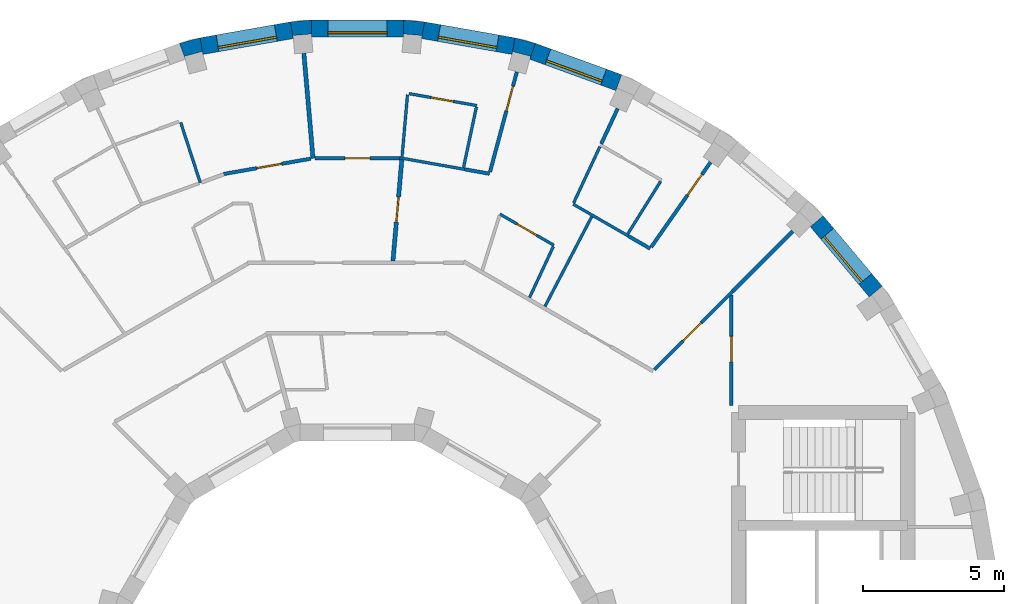
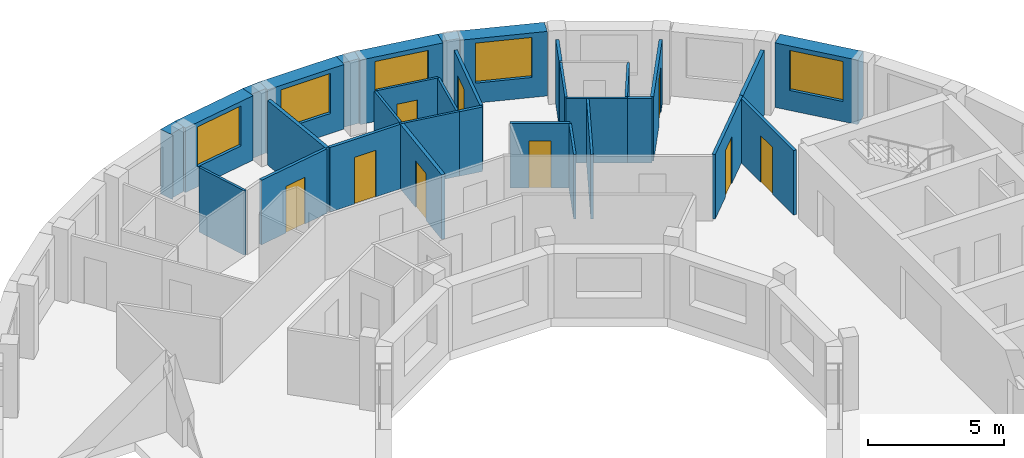
# One storey, part 10 of 12: 32 walls, 9 doors, 5 windows, 14 openings.
"""IFC4 building model written with IfcOpenShell, lengths in metres."""

import ifcopenshell
import ifcopenshell.guid

model = None  # the IFC model being written
_history = None  # IfcOwnerHistory: only IFC2X3 demands one
_inside = {}  # id of a spatial element -> (the spatial element, [elements in it])
_under = {}  # id of a project, library or spatial element -> (it, [spatial elements below it])
_declared = {}  # id of a project -> (the project, [libraries it declares])
_typed = {}  # id of a type object -> (the type object, [elements of that type])
_made_of = {}  # id of a material, layer set ... -> (it, [elements and type objects made of it])


def new_model(schema):
    """Start an empty IFC model of exactly this schema.

    Asked for "IFC4X3", IfcOpenShell would pick the latest addendum, in which some entities
    have other attributes; the version numbers below select the first issue.
    IFC2X3 requires an IfcOwnerHistory on every rooted entity: one is made here for all.
    """
    global model, _history
    if schema == "IFC4X3":
        model = ifcopenshell.file(schema_version=(4, 3, 0, 0))
    else:
        model = ifcopenshell.file(schema=schema)
    _inside.clear()
    _under.clear()
    _declared.clear()
    _typed.clear()
    _made_of.clear()
    _history = None
    if model.schema == "IFC2X3":
        org = make("IfcOrganization", Name="unknown")
        user = make(
            "IfcPersonAndOrganization",
            ThePerson=make("IfcPerson", FamilyName="unknown"),
            TheOrganization=org,
        )
        app = make(
            "IfcApplication",
            ApplicationDeveloper=org,
            Version="unknown",
            ApplicationFullName="unknown",
            ApplicationIdentifier="unknown",
        )
        _history = make(
            "IfcOwnerHistory",
            OwningUser=user,
            OwningApplication=app,
            ChangeAction="ADDED",
            CreationDate=0,
        )
    return model


def make(cls, **values):
    """One entity of the class cls with the attributes given. An attribute that is None is left unset."""
    return model.create_entity(
        cls, **{name: value for name, value in values.items() if value is not None}
    )


def rooted(cls, **values):
    """An entity with a GlobalId (a new one), such as an element, a storey or a relation."""
    return make(cls, GlobalId=ifcopenshell.guid.new(), OwnerHistory=_history, **values)


def si_unit(unit_type, name, prefix=None):
    """IfcSIUnit, for example si_unit("LENGTHUNIT", "METRE", prefix="MILLI")."""
    return make("IfcSIUnit", UnitType=unit_type, Prefix=prefix, Name=name)


def assignment(units):
    """IfcUnitAssignment: the units of a project."""
    return None if units is None else make("IfcUnitAssignment", Units=units)


def point(xyz):
    """IfcCartesianPoint."""
    return None if xyz is None else make("IfcCartesianPoint", Coordinates=xyz)


def direction(xyz):
    """IfcDirection."""
    return None if xyz is None else make("IfcDirection", DirectionRatios=xyz)


def frame(location, z_axis=None, x_axis=None):
    """IfcAxis2Placement3D, a coordinate frame: its origin and axes. An axis left out is left unset."""
    return make(
        "IfcAxis2Placement3D",
        Location=point(location),
        Axis=direction(z_axis),
        RefDirection=direction(x_axis),
    )


def frame_2d(location, x_axis=None):
    """IfcAxis2Placement2D, a coordinate frame in the plane: its origin and x axis."""
    return make(
        "IfcAxis2Placement2D", Location=point(location), RefDirection=direction(x_axis)
    )


def origin():
    """The frame at (0, 0, 0) with its axes left unset."""
    return frame((0.0, 0.0, 0.0))


def place(relative_to, where):
    """IfcLocalPlacement: puts the frame where relative to a parent placement (None: the world)."""
    return make(
        "IfcLocalPlacement", PlacementRelTo=relative_to, RelativePlacement=where
    )


def context(
    kind, dimensions, precision=None, world=None, true_north=None, identifier=None
):
    """IfcGeometricRepresentationContext, for example the 3D "Model" context."""
    return make(
        "IfcGeometricRepresentationContext",
        ContextIdentifier=identifier,
        ContextType=kind,
        CoordinateSpaceDimension=dimensions,
        Precision=precision,
        WorldCoordinateSystem=world,
        TrueNorth=true_north,
    )


def subcontext(parent, identifier, kind, view, scale=None):
    """IfcGeometricRepresentationSubContext, for example "Body" below "Model"."""
    return make(
        "IfcGeometricRepresentationSubContext",
        ContextIdentifier=identifier,
        ContextType=kind,
        ParentContext=parent,
        TargetScale=scale,
        TargetView=view,
    )


def project(units=None, contexts=None):
    """IfcProject with its units and contexts."""
    return rooted(
        "IfcProject",
        Name="project",
        RepresentationContexts=contexts,
        UnitsInContext=assignment(units),
    )


def spatial(cls, under=None, at=None, **own):
    """A site, building, storey or space (cls), placed at a placement, below another one or the project."""
    s = rooted(cls, ObjectPlacement=at, **own)
    if under is not None:
        _under.setdefault(under.id(), (under, []))[1].append(s)
    return s


def polyline(points):
    """IfcPolyline through the points."""
    return make("IfcPolyline", Points=[point(p) for p in points])


def profile(cls, at=None, kind="AREA", **sizes):
    """A parametric profile (cls). Its sizes go by their IFC names, for example OverallWidth=200.0."""
    return make(cls, ProfileType=kind, Position=at, **sizes)


def rectangle(**sizes):
    """IfcRectangleProfileDef."""
    return profile("IfcRectangleProfileDef", **sizes)


def outline(outer, holes=None, kind="AREA"):
    """IfcArbitraryClosedProfileDef: a profile drawn as a closed curve; with holes, ...WithVoids."""
    if holes is None:
        return make("IfcArbitraryClosedProfileDef", ProfileType=kind, OuterCurve=outer)
    return make(
        "IfcArbitraryProfileDefWithVoids",
        ProfileType=kind,
        OuterCurve=outer,
        InnerCurves=holes,
    )


def extrude(swept, where, along, depth):
    """IfcExtrudedAreaSolid: the profile swept, set in the frame where, extruded along a direction by depth."""
    return make(
        "IfcExtrudedAreaSolid",
        SweptArea=swept,
        Position=where,
        ExtrudedDirection=direction(along),
        Depth=depth,
    )


def shape(context_of_items, identifier, shape_type, items):
    """IfcShapeRepresentation: the items that make up one representation, for example the "Body"."""
    return make(
        "IfcShapeRepresentation",
        ContextOfItems=context_of_items,
        RepresentationIdentifier=identifier,
        RepresentationType=shape_type,
        Items=items,
    )


def material(Name=None, Category=None):
    """IfcMaterial."""
    return make("IfcMaterial", Name=Name, Category=Category)


def layer(
    of_material, thickness, ventilated=None, Name=None, Category=None, Priority=None
):
    """IfcMaterialLayer: one layer of a wall or slab, of a material (None: an air gap)."""
    return make(
        "IfcMaterialLayer",
        Material=of_material,
        LayerThickness=thickness,
        IsVentilated=ventilated,
        Name=Name,
        Category=Category,
        Priority=Priority,
    )


def layer_set(layers, Name=None):
    """IfcMaterialLayerSet."""
    return make("IfcMaterialLayerSet", MaterialLayers=layers, LayerSetName=Name)


def made_of(thing, what):
    """Note that an element or type object is made of a material, layer set ...; save() writes the relation."""
    if what is not None:
        _made_of.setdefault(what.id(), (what, []))[1].append(thing)
    return thing


def type_object(cls, material=None, **own):
    """A type object (cls), such as IfcWallType, which elements share."""
    return made_of(rooted(cls, **own), material)


def element(
    cls,
    number,
    at=None,
    inside=None,
    cuts=None,
    type_object=None,
    material=None,
    context=None,
    identifier="Body",
    shape_type=None,
    held_by="IfcProductDefinitionShape",
    body=None,
    shapes=None,
    **own,
):
    """One element of the class cls, such as IfcWall. Its Tag is "e" and its number.

    at: its placement. inside: the storey or other place that contains it. cuts: it is an
    opening in that element (IfcRelVoidsElement). A single representation is given by context,
    identifier, shape_type and body (its items); several are given by shapes. held_by: the class
    of the entity that holds the representations. save() writes the other relations.
    """
    e = rooted(cls, Tag="e%d" % number, ObjectPlacement=at, **own)
    if body is not None:
        shapes = [shape(context, identifier, shape_type, body)]
    if shapes is not None:
        e.Representation = make(held_by, Representations=shapes)
    if inside is not None:
        _inside.setdefault(inside.id(), (inside, []))[1].append(e)
    if cuts is not None:
        rooted(
            "IfcRelVoidsElement", RelatingBuildingElement=cuts, RelatedOpeningElement=e
        )
    if type_object is not None:
        _typed.setdefault(type_object.id(), (type_object, []))[1].append(e)
    return made_of(e, material)


def fill(opening, filler):
    """IfcRelFillsElement: the door or window that sits in an opening."""
    return rooted(
        "IfcRelFillsElement",
        RelatingOpeningElement=opening,
        RelatedBuildingElement=filler,
    )


def aggregate(whole, parts):
    """IfcRelAggregates: a whole, such as a stair, and the parts it consists of."""
    return rooted("IfcRelAggregates", RelatingObject=whole, RelatedObjects=parts)


def save(model, path):
    """Write the relations noted so far, then the file.

    IfcRelAggregates (storeys below a building ...), IfcRelContainedInSpatialStructure (elements
    in a storey), IfcRelDefinesByType, IfcRelAssociatesMaterial and IfcRelDeclares: one each for
    every whole, place, type object, material and project.
    """
    for whole, parts in _under.values():
        aggregate(whole, parts)
    for where, things in _inside.values():
        rooted(
            "IfcRelContainedInSpatialStructure",
            RelatedElements=things,
            RelatingStructure=where,
        )
    for kind, things in _typed.values():
        rooted("IfcRelDefinesByType", RelatedObjects=things, RelatingType=kind)
    for what, things in _made_of.values():
        rooted("IfcRelAssociatesMaterial", RelatedObjects=things, RelatingMaterial=what)
    for by, libraries in _declared.values():
        rooted("IfcRelDeclares", RelatingContext=by, RelatedDefinitions=libraries)
    model.write(path)


model = new_model("IFC4")

# Units and contexts
model_context = context("Model", 3, precision=1e-05, world=origin(), true_north=direction((0.0, 1.0)))
body_context = subcontext(model_context, "Body", "Model", "MODEL_VIEW")
ifc_project = project(units=[si_unit("LENGTHUNIT", "METRE"), si_unit("AREAUNIT", "SQUARE_METRE"), si_unit("VOLUMEUNIT", "CUBIC_METRE"), si_unit("PLANEANGLEUNIT", "RADIAN"), si_unit("MASSUNIT", "GRAM", prefix="KILO")], contexts=[model_context])

# Site, building, storey
site_placement = place(None, origin())
site = spatial("IfcSite", under=ifc_project, at=site_placement, CompositionType="ELEMENT")
building_placement = place(site_placement, origin())
building = spatial("IfcBuilding", under=site, at=building_placement, Name="Saqina Gate Tower", CompositionType="ELEMENT")
storey_placement = place(building_placement, frame((0.0, 0.0, 262.699951171875)))
storey = spatial("IfcBuildingStorey", under=building, at=storey_placement, Name="L75", CompositionType="ELEMENT", Elevation=262.699951171875)

# Walls
ifc_material_1 = material(Name="Brick masonry (buff)", Category="masonry")
wall_type_1 = type_object("IfcWallType", Name="BRICK PIER COPING BUFF", PredefinedType="SOLIDWALL", material=ifc_material_1)
wall_1_placement = place(storey_placement, origin())
element("IfcWall", 1, at=wall_1_placement, inside=storey, type_object=wall_type_1, Name="Pier cap L75 column 8", PredefinedType="SOLIDWALL", context=body_context, shape_type="SweptSolid", body=[
    extrude(outline(polyline([(5.579833984375, 22.281982421875), (5.4755859375, 21.691162109375), (5.5029296875, 21.793212890625), (6.130859375, 21.625), (6.103515625, 21.52294921875), (6.30859375, 22.0869140625), (5.579833984375, 22.281982421875)])), origin(), (0.0, 0.0, 1.0), 2.900146484375),
])
wall_2_placement = place(storey_placement, origin())
element("IfcWall", 2, at=wall_2_placement, inside=storey, type_object=wall_type_1, Name="Pier cap L75 column 9", PredefinedType="SOLIDWALL", context=body_context, shape_type="SweptSolid", body=[
    extrude(outline(polyline([(2.377685546875, 22.8466796875), (1.625732421875, 22.91259765625), (1.625732421875, 22.3125), (1.635009765625, 22.417724609375), (2.28271484375, 22.361083984375), (2.2734375, 22.255859375), (2.377685546875, 22.8466796875)])), origin(), (0.0, 0.0, 1.0), 2.900146484375),
])
wall_3_placement = place(storey_placement, origin())
element("IfcWall", 3, at=wall_3_placement, inside=storey, type_object=wall_type_1, Name="Pier cap L75 column 10", PredefinedType="SOLIDWALL", context=body_context, shape_type="SweptSolid", body=[
    extrude(outline(polyline([(-1.625732421875, 22.91259765625), (-2.377685546875, 22.8466796875), (-2.2734375, 22.255859375), (-2.28271484375, 22.361083984375), (-1.635009765625, 22.417724609375), (-1.625732421875, 22.3125), (-1.625732421875, 22.91259765625)])), origin(), (0.0, 0.0, 1.0), 2.900146484375),
])
wall_4_placement = place(storey_placement, origin())
element("IfcWall", 4, at=wall_4_placement, inside=storey, type_object=wall_type_1, Name="Pier cap L75 column 11", PredefinedType="SOLIDWALL", context=body_context, shape_type="SweptSolid", body=[
    extrude(outline(polyline([(-6.30859375, 22.0869140625), (-6.103515625, 21.52294921875), (-6.130859375, 21.625), (-5.5029296875, 21.793212890625), (-5.4755859375, 21.691162109375), (-5.579833984375, 22.281982421875), (-6.30859375, 22.0869140625)])), origin(), (0.0, 0.0, 1.0), 2.900146484375),
])

# Wall, opening, window
ifc_material_2 = material(Name="Brick masonry (buff)", Category="masonry")
ifc_layer_1 = layer(ifc_material_2, 0.60009765625)
ifc_layer_set_1 = layer_set([ifc_layer_1], Name="FW-BRICK-BUFF")
wall_type_2 = type_object("IfcWallType", Name="FW-BRICK-BUFF", PredefinedType="SOLIDWALL", material=ifc_layer_set_1)
wall_5_placement = place(storey_placement, frame((18.3671875, 13.28955078125, 0.0), z_axis=(0.0, 0.0, 1.0), x_axis=(-0.64277291405, 0.766056773982, 0.0)))
wall_5 = element("IfcWall", 5, at=wall_5_placement, inside=storey, type_object=wall_type_2, Name="Facade wall L75 facet 4", PredefinedType="SOLIDWALL", context=body_context, shape_type="SweptSolid", body=[
    extrude(rectangle(XDim=3.251708984375, YDim=0.60009765625, at=frame_2d((1.6259765625, 0.0))), origin(), (0.0, 0.0, 1.0), 2.900146484375),
])
opening_1_placement = place(wall_5_placement, frame((0.57568359375, 0.0, 0.89990234375)))
opening_1 = element("IfcOpeningElement", 6, at=opening_1_placement, cuts=wall_5, Name="Opening G22-W02", PredefinedType="OPENING", context=body_context, shape_type="SweptSolid", body=[
    extrude(rectangle(XDim=2.10009765625, YDim=1.800048828125, at=frame_2d((1.050048828125, 0.89990234375))), frame((0.0, 0.31201171875, 0.0), z_axis=(0.0, -1.0, 0.0), x_axis=(1.0, 0.0, 0.0)), (0.0, 0.0, 1.0), 0.6240234375),
])
ifc_material_3 = material(Name="Aluminium glazing", Category="aluminium")
window_type = type_object("IfcWindowType", Name="WN-D", PartitioningType="SINGLE_PANEL", PredefinedType="WINDOW", material=ifc_material_3)
window_1_placement = place(opening_1_placement, origin())
window_1 = element("IfcWindow", 7, at=window_1_placement, inside=storey, type_object=window_type, Name="Window L75 facet 4", OverallHeight=1.800048828125, OverallWidth=2.10009765625, PartitioningType="SINGLE_PANEL", PredefinedType="WINDOW", context=body_context, shape_type="SweptSolid", body=[
    extrude(rectangle(XDim=2.10009765625, YDim=1.800048828125, at=frame_2d((1.050048828125, 0.89990234375))), frame((0.0, 0.179931640625, 0.0), z_axis=(0.0, -1.0, 0.0), x_axis=(1.0, 0.0, 0.0)), (0.0, 0.0, 1.0), 0.06005859375),
])
fill(opening_1, window_1)

wall_6_placement = place(storey_placement, frame((9.26171875, 20.692626953125, 0.0), z_axis=(0.0, 0.0, 1.0), x_axis=(-0.939679383794, 0.342056509473, 0.0)))
wall_6 = element("IfcWall", 8, at=wall_6_placement, inside=storey, type_object=wall_type_2, Name="Facade wall L75 facet 7", PredefinedType="SOLIDWALL", context=body_context, shape_type="SweptSolid", body=[
    extrude(rectangle(XDim=3.251708984375, YDim=0.60009765625, at=frame_2d((1.6259765625, 0.0))), origin(), (0.0, 0.0, 1.0), 2.900146484375),
])
opening_2_placement = place(wall_6_placement, frame((0.57568359375, 0.0, 0.89990234375)))
opening_2 = element("IfcOpeningElement", 9, at=opening_2_placement, cuts=wall_6, Name="Opening G22-W05", PredefinedType="OPENING", context=body_context, shape_type="SweptSolid", body=[
    extrude(rectangle(XDim=2.10009765625, YDim=1.800048828125, at=frame_2d((1.050048828125, 0.89990234375))), frame((0.0, 0.31201171875, 0.0), z_axis=(0.0, -1.0, 0.0), x_axis=(1.0, 0.0, 0.0)), (0.0, 0.0, 1.0), 0.6240234375),
])
window_2_placement = place(opening_2_placement, origin())
window_2 = element("IfcWindow", 10, at=window_2_placement, inside=storey, type_object=window_type, Name="Window L75 facet 7", OverallHeight=1.800048828125, OverallWidth=2.10009765625, PartitioningType="SINGLE_PANEL", PredefinedType="WINDOW", context=body_context, shape_type="SweptSolid", body=[
    extrude(rectangle(XDim=2.10009765625, YDim=1.800048828125, at=frame_2d((1.050048828125, 0.89990234375))), frame((0.0, 0.179931640625, 0.0), z_axis=(0.0, -1.0, 0.0), x_axis=(1.0, 0.0, 0.0)), (0.0, 0.0, 1.0), 0.06005859375),
])
fill(opening_2, window_2)

wall_7_placement = place(storey_placement, frame((5.52783203125, 21.986572265625, 0.0), z_axis=(0.0, 0.0, 1.0), x_axis=(-0.984806225186, 0.173656842178, 0.0)))
wall_7 = element("IfcWall", 11, at=wall_7_placement, inside=storey, type_object=wall_type_2, Name="Facade wall L75 facet 8", PredefinedType="SOLIDWALL", context=body_context, shape_type="SweptSolid", body=[
    extrude(rectangle(XDim=3.251708984375, YDim=0.60009765625, at=frame_2d((1.6259765625, 0.0))), origin(), (0.0, 0.0, 1.0), 2.900146484375),
])
opening_3_placement = place(wall_7_placement, frame((0.57568359375, 0.0, 0.89990234375)))
opening_3 = element("IfcOpeningElement", 12, at=opening_3_placement, cuts=wall_7, Name="Opening G22-W06", PredefinedType="OPENING", context=body_context, shape_type="SweptSolid", body=[
    extrude(rectangle(XDim=2.10009765625, YDim=1.800048828125, at=frame_2d((1.050048828125, 0.89990234375))), frame((0.0, 0.31201171875, 0.0), z_axis=(0.0, -1.0, 0.0), x_axis=(1.0, 0.0, 0.0)), (0.0, 0.0, 1.0), 0.6240234375),
])
window_3_placement = place(opening_3_placement, origin())
window_3 = element("IfcWindow", 13, at=window_3_placement, inside=storey, type_object=window_type, Name="Window L75 facet 8", OverallHeight=1.800048828125, OverallWidth=2.10009765625, PartitioningType="SINGLE_PANEL", PredefinedType="WINDOW", context=body_context, shape_type="SweptSolid", body=[
    extrude(rectangle(XDim=2.10009765625, YDim=1.800048828125, at=frame_2d((1.050048828125, 0.89990234375))), frame((0.0, 0.179931640625, 0.0), z_axis=(0.0, -1.0, 0.0), x_axis=(1.0, 0.0, 0.0)), (0.0, 0.0, 1.0), 0.06005859375),
])
fill(opening_3, window_3)

wall_8_placement = place(storey_placement, frame((1.625732421875, 22.612548828125, 0.0), z_axis=(0.0, 0.0, 1.0), x_axis=(-1.0, 0.0, 0.0)))
wall_8 = element("IfcWall", 14, at=wall_8_placement, inside=storey, type_object=wall_type_2, Name="Facade wall L75 facet 9", PredefinedType="SOLIDWALL", context=body_context, shape_type="SweptSolid", body=[
    extrude(rectangle(XDim=3.25146484375, YDim=0.60009765625, at=frame_2d((1.625732421875, 0.0))), origin(), (0.0, 0.0, 1.0), 2.900146484375),
])
opening_4_placement = place(wall_8_placement, frame((0.57568359375, 0.0, 0.89990234375)))
opening_4 = element("IfcOpeningElement", 15, at=opening_4_placement, cuts=wall_8, Name="Opening G22-W07", PredefinedType="OPENING", context=body_context, shape_type="SweptSolid", body=[
    extrude(rectangle(XDim=2.10009765625, YDim=1.800048828125, at=frame_2d((1.050048828125, 0.89990234375))), frame((0.0, 0.31201171875, 0.0), z_axis=(0.0, -1.0, 0.0), x_axis=(1.0, 0.0, 0.0)), (0.0, 0.0, 1.0), 0.6240234375),
])
window_4_placement = place(opening_4_placement, origin())
window_4 = element("IfcWindow", 16, at=window_4_placement, inside=storey, type_object=window_type, Name="Window L75 facet 9", OverallHeight=1.800048828125, OverallWidth=2.10009765625, PartitioningType="SINGLE_PANEL", PredefinedType="WINDOW", context=body_context, shape_type="SweptSolid", body=[
    extrude(rectangle(XDim=2.10009765625, YDim=1.800048828125, at=frame_2d((1.050048828125, 0.89990234375))), frame((0.0, 0.179931640625, 0.0), z_axis=(0.0, -1.0, 0.0), x_axis=(1.0, 0.0, 0.0)), (0.0, 0.0, 1.0), 0.06005859375),
])
fill(opening_4, window_4)

wall_9_placement = place(storey_placement, frame((-2.325439453125, 22.55126953125, 0.0), z_axis=(0.0, 0.0, 1.0), x_axis=(-0.984806225186, -0.173656842178, 0.0)))
wall_9 = element("IfcWall", 17, at=wall_9_placement, inside=storey, type_object=wall_type_2, Name="Facade wall L75 facet 10", PredefinedType="SOLIDWALL", context=body_context, shape_type="SweptSolid", body=[
    extrude(rectangle(XDim=3.251708984375, YDim=0.60009765625, at=frame_2d((1.6259765625, 0.0))), origin(), (0.0, 0.0, 1.0), 2.900146484375),
])
opening_5_placement = place(wall_9_placement, frame((0.57568359375, 0.0, 0.89990234375)))
opening_5 = element("IfcOpeningElement", 18, at=opening_5_placement, cuts=wall_9, Name="Opening G22-W08", PredefinedType="OPENING", context=body_context, shape_type="SweptSolid", body=[
    extrude(rectangle(XDim=2.10009765625, YDim=1.800048828125, at=frame_2d((1.050048828125, 0.89990234375))), frame((0.0, 0.31201171875, 0.0), z_axis=(0.0, -1.0, 0.0), x_axis=(1.0, 0.0, 0.0)), (0.0, 0.0, 1.0), 0.6240234375),
])
window_5_placement = place(opening_5_placement, origin())
window_5 = element("IfcWindow", 19, at=window_5_placement, inside=storey, type_object=window_type, Name="Window L75 facet 10", OverallHeight=1.800048828125, OverallWidth=2.10009765625, PartitioningType="SINGLE_PANEL", PredefinedType="WINDOW", context=body_context, shape_type="SweptSolid", body=[
    extrude(rectangle(XDim=2.10009765625, YDim=1.800048828125, at=frame_2d((1.050048828125, 0.89990234375))), frame((0.0, 0.179931640625, 0.0), z_axis=(0.0, -1.0, 0.0), x_axis=(1.0, 0.0, 0.0)), (0.0, 0.0, 1.0), 0.06005859375),
])
fill(opening_5, window_5)

# Wall
ifc_material_4 = material(Name="Gypsum board on steel studs, 100 mm", Category="steel")
ifc_layer_2 = layer(ifc_material_4, 0.10009765625)
ifc_layer_set_2 = layer_set([ifc_layer_2], Name="PARTITION 100")
wall_type_3 = type_object("IfcWallType", Name="PARTITION 100", PredefinedType="PARTITIONING", material=ifc_layer_set_2)
wall_10_placement = place(storey_placement, frame((-6.264892578125, 19.280517578125, 0.0), z_axis=(0.0, 0.0, 1.0), x_axis=(0.308892186689, -0.951097059717, 0.0)))
element("IfcWall", 20, at=wall_10_placement, inside=storey, type_object=wall_type_3, Name="PARTITION PW3-07", PredefinedType="PARTITIONING", context=body_context, shape_type="SweptSolid", body=[
    extrude(rectangle(XDim=2.24951171875, YDim=0.10009765625, at=frame_2d((1.124755859375, 0.0))), origin(), (0.0, 0.0, 1.0), 2.900146484375),
])

# Wall, opening, door
wall_11_placement = place(storey_placement, frame((5.05078125, 16.031982421875, 0.0), z_axis=(0.0, 0.0, 1.0), x_axis=(0.86609715799, -0.49987569747, 0.0)))
wall_11 = element("IfcWall", 21, at=wall_11_placement, inside=storey, type_object=wall_type_3, Name="PARTITION PW3-19", PredefinedType="PARTITIONING", context=body_context, shape_type="SweptSolid", body=[
    extrude(rectangle(XDim=2.20654296875, YDim=0.10009765625, at=frame_2d((1.103271484375, 0.0))), origin(), (0.0, 0.0, 1.0), 2.900146484375),
])
opening_6_placement = place(wall_11_placement, frame((0.702392578125, 0.0, 0.0)))
opening_6 = element("IfcOpeningElement", 22, at=opening_6_placement, cuts=wall_11, Name="Opening G22-D06", PredefinedType="OPENING", context=body_context, shape_type="SweptSolid", body=[
    extrude(rectangle(XDim=0.800048828125, YDim=2.10009765625, at=frame_2d((0.39990234375, 1.050048828125))), frame((0.0, 0.06201171875, 0.0), z_axis=(0.0, -1.0, 0.0), x_axis=(1.0, 0.0, 0.0)), (0.0, 0.0, 1.0), 0.1240234375),
])
ifc_material_5 = material(Name="Timber door leaf, 800 mm", Category="wood")
door_type_1 = type_object("IfcDoorType", Name="DOOR 800 TIMBER", OperationType="SINGLE_SWING_LEFT", PredefinedType="DOOR", material=ifc_material_5)
door_1_placement = place(opening_6_placement, origin())
door_1 = element("IfcDoor", 23, at=door_1_placement, inside=storey, type_object=door_type_1, Name="DOOR G22-D06", OperationType="SINGLE_SWING_LEFT", OverallHeight=2.10009765625, OverallWidth=0.800048828125, PredefinedType="DOOR", context=body_context, shape_type="SweptSolid", body=[
    extrude(rectangle(XDim=0.800048828125, YDim=2.10009765625, at=frame_2d((0.39990234375, 1.050048828125))), frame((0.0, 0.02490234375, 0.0), z_axis=(0.0, -1.0, 0.0), x_axis=(1.0, 0.0, 0.0)), (0.0, 0.0, 1.0), 0.050048828125),
])
fill(opening_6, door_1)

# Walls
wall_12_placement = place(storey_placement, frame((7.64208984375, 16.386474609375, 0.0), z_axis=(0.0, 0.0, 1.0), x_axis=(0.86603400694, -0.499985098601, 0.0)))
element("IfcWall", 24, at=wall_12_placement, inside=storey, type_object=wall_type_3, Name="PARTITION PW3-20", PredefinedType="PARTITIONING", context=body_context, shape_type="SweptSolid", body=[
    extrude(rectangle(XDim=2.2529296875, YDim=0.10009765625, at=frame_2d((1.12646484375, 0.0))), origin(), (0.0, 0.0, 1.0), 2.900146484375),
])
wall_13_placement = place(storey_placement, frame((1.5, 18.02734375, 0.0), z_axis=(0.0, 0.0, 1.0), x_axis=(0.984634591381, -0.174627378886, 0.0)))
element("IfcWall", 25, at=wall_13_placement, inside=storey, type_object=wall_type_3, Name="PARTITION PW3-22", PredefinedType="PARTITIONING", context=body_context, shape_type="SweptSolid", body=[
    extrude(rectangle(XDim=2.33203125, YDim=0.10009765625, at=frame_2d((1.166015625, 0.0))), origin(), (0.0, 0.0, 1.0), 2.900146484375),
])

# Wall, opening, door
wall_14_placement = place(storey_placement, frame((1.8271484375, 20.30322265625, 0.0), z_axis=(0.0, 0.0, 1.0), x_axis=(0.984857159035, -0.173367748724, 0.0)))
wall_14 = element("IfcWall", 26, at=wall_14_placement, inside=storey, type_object=wall_type_3, Name="PARTITION PW3-25", PredefinedType="PARTITIONING", context=body_context, shape_type="SweptSolid", body=[
    extrude(rectangle(XDim=2.434814453125, YDim=0.10009765625, at=frame_2d((1.21728515625, 0.0))), origin(), (0.0, 0.0, 1.0), 2.900146484375),
])
opening_7_placement = place(wall_14_placement, frame((0.791748046875, 0.0, 0.0)))
opening_7 = element("IfcOpeningElement", 27, at=opening_7_placement, cuts=wall_14, Name="Opening G22-D10", PredefinedType="OPENING", context=body_context, shape_type="SweptSolid", body=[
    extrude(rectangle(XDim=0.800048828125, YDim=2.10009765625, at=frame_2d((0.39990234375, 1.050048828125))), frame((0.0, 0.06201171875, 0.0), z_axis=(0.0, -1.0, 0.0), x_axis=(1.0, 0.0, 0.0)), (0.0, 0.0, 1.0), 0.1240234375),
])
door_2_placement = place(opening_7_placement, origin())
door_2 = element("IfcDoor", 28, at=door_2_placement, inside=storey, type_object=door_type_1, Name="DOOR G22-D10", OperationType="SINGLE_SWING_LEFT", OverallHeight=2.10009765625, OverallWidth=0.800048828125, PredefinedType="DOOR", context=body_context, shape_type="SweptSolid", body=[
    extrude(rectangle(XDim=0.800048828125, YDim=2.10009765625, at=frame_2d((0.39990234375, 1.050048828125))), frame((0.0, 0.02490234375, 0.0), z_axis=(0.0, -1.0, 0.0), x_axis=(1.0, 0.0, 0.0)), (0.0, 0.0, 1.0), 0.050048828125),
])
fill(opening_7, door_2)

# Walls
wall_15_placement = place(storey_placement, frame((9.5830078125, 15.337890625, 0.0), z_axis=(0.0, 0.0, 1.0), x_axis=(0.529988916938, 0.848004568339, 0.0)))
element("IfcWall", 29, at=wall_15_placement, inside=storey, type_object=wall_type_3, Name="PARTITION PW3-40", PredefinedType="PARTITIONING", context=body_context, shape_type="SweptSolid", body=[
    extrude(rectangle(XDim=2.189453125, YDim=0.10009765625, at=frame_2d((1.0947265625, 0.0))), origin(), (0.0, 0.0, 1.0), 2.900146484375),
])
wall_16_placement = place(storey_placement, frame((6.643798828125, 12.761474609375, 0.0), z_axis=(0.0, 0.0, 1.0), x_axis=(0.462108219217, 0.886823541485, 0.0)))
element("IfcWall", 30, at=wall_16_placement, inside=storey, type_object=wall_type_3, Name="PARTITION PW3-44", PredefinedType="PARTITIONING", context=body_context, shape_type="SweptSolid", body=[
    extrude(rectangle(XDim=3.591064453125, YDim=0.10009765625, at=frame_2d((1.79541015625, 0.0))), origin(), (0.0, 0.0, 1.0), 2.900146484375),
])
wall_17_placement = place(storey_placement, frame((6.09765625, 13.075439453125, 0.0), z_axis=(0.0, 0.0, 1.0), x_axis=(0.422624209162, 0.906305013685, 0.0)))
element("IfcWall", 31, at=wall_17_placement, inside=storey, type_object=wall_type_3, Name="PARTITION PW3-45", PredefinedType="PARTITIONING", context=body_context, shape_type="SweptSolid", body=[
    extrude(rectangle(XDim=1.995361328125, YDim=0.10009765625, at=frame_2d((0.99755859375, 0.0))), origin(), (0.0, 0.0, 1.0), 2.900146484375),
])
wall_18_placement = place(storey_placement, frame((7.662109375, 16.432373046875, 0.0), z_axis=(0.0, 0.0, 1.0), x_axis=(0.422642091252, 0.906296674772, 0.0)))
element("IfcWall", 32, at=wall_18_placement, inside=storey, type_object=wall_type_3, Name="PARTITION PW3-46", PredefinedType="PARTITIONING", context=body_context, shape_type="SweptSolid", body=[
    extrude(rectangle(XDim=2.19677734375, YDim=0.10009765625, at=frame_2d((1.098388671875, 0.0))), origin(), (0.0, 0.0, 1.0), 2.900146484375),
])
wall_19_placement = place(storey_placement, frame((3.760009765625, 17.691162109375, 0.0), z_axis=(0.0, 0.0, 1.0), x_axis=(0.207691908253, 0.978194291154, 0.0)))
element("IfcWall", 33, at=wall_19_placement, inside=storey, type_object=wall_type_3, Name="PARTITION PW3-50", PredefinedType="PARTITIONING", context=body_context, shape_type="SweptSolid", body=[
    extrude(rectangle(XDim=2.1875, YDim=0.10009765625, at=frame_2d((1.09375, 0.0))), origin(), (0.0, 0.0, 1.0), 2.900146484375),
])
wall_20_placement = place(storey_placement, frame((1.581298828125, 18.07421875, 0.0), z_axis=(0.0, 0.0, 1.0), x_axis=(0.086816690558, 0.996224303177, 0.0)))
element("IfcWall", 34, at=wall_20_placement, inside=storey, type_object=wall_type_3, Name="PARTITION PW3-53", PredefinedType="PARTITIONING", context=body_context, shape_type="SweptSolid", body=[
    extrude(rectangle(XDim=2.1962890625, YDim=0.10009765625, at=frame_2d((1.09814453125, 0.0))), origin(), (0.0, 0.0, 1.0), 2.900146484375),
])
ifc_material_6 = material(Name="Gypsum board on steel studs, 125 mm, fire rated", Category="steel")
ifc_layer_3 = layer(ifc_material_6, 0.125)
ifc_layer_set_3 = layer_set([ifc_layer_3], Name="PARTITION EI 30 125")
wall_type_4 = type_object("IfcWallType", Name="PARTITION EI 30 125", PredefinedType="PARTITIONING", material=ifc_layer_set_3)
wall_21_placement = place(storey_placement, frame((9.59326171875, 15.260009765625, 0.0), z_axis=(0.0, 0.0, 1.0), x_axis=(0.866072174983, -0.499918981156, 0.0)))
element("IfcWall", 35, at=wall_21_placement, inside=storey, type_object=wall_type_4, Name="PARTITION PW1-14", PredefinedType="PARTITIONING", context=body_context, shape_type="SweptSolid", body=[
    extrude(rectangle(XDim=0.896240234375, YDim=0.125, at=frame_2d((0.4482421875, 0.0))), origin(), (0.0, 0.0, 1.0), 2.900146484375),
])
wall_22_placement = place(storey_placement, frame((3.796142578125, 17.621337890625, 0.0), z_axis=(0.0, 0.0, 1.0), x_axis=(0.984648940512, -0.174546452121, 0.0)))
element("IfcWall", 36, at=wall_22_placement, inside=storey, type_object=wall_type_4, Name="PARTITION PW1-15", PredefinedType="PARTITIONING", context=body_context, shape_type="SweptSolid", body=[
    extrude(rectangle(XDim=0.896484375, YDim=0.125, at=frame_2d((0.4482421875, 0.0))), origin(), (0.0, 0.0, 1.0), 2.900146484375),
])

# Wall, opening, door
wall_23_placement = place(storey_placement, frame((-1.5, 18.011962890625, 0.0), z_axis=(0.0, 0.0, 1.0), x_axis=(1.0, 0.0, 0.0)))
wall_23 = element("IfcWall", 37, at=wall_23_placement, inside=storey, type_object=wall_type_4, Name="PARTITION PW1-21", PredefinedType="PARTITIONING", context=body_context, shape_type="SweptSolid", body=[
    extrude(rectangle(XDim=3.0, YDim=0.125, at=frame_2d((1.5, 0.0))), origin(), (0.0, 0.0, 1.0), 2.900146484375),
])
opening_8_placement = place(wall_23_placement, frame((1.050048828125, 0.0, 0.0)))
opening_8 = element("IfcOpeningElement", 38, at=opening_8_placement, cuts=wall_23, Name="Opening G22-D13", PredefinedType="OPENING", context=body_context, shape_type="SweptSolid", body=[
    extrude(rectangle(XDim=0.89990234375, YDim=2.10009765625, at=frame_2d((0.449951171875, 1.050048828125))), frame((0.0, 0.074462890625, 0.0), z_axis=(0.0, -1.0, 0.0), x_axis=(1.0, 0.0, 0.0)), (0.0, 0.0, 1.0), 0.14892578125),
])
ifc_material_7 = material(Name="Fire door leaf EI 30, 900 mm")
door_type_2 = type_object("IfcDoorType", Name="DOOR 900 EI 30", OperationType="SINGLE_SWING_LEFT", PredefinedType="DOOR", material=ifc_material_7)
door_3_placement = place(opening_8_placement, frame((0.89990234375, 0.0, 0.0), z_axis=(0.0, 0.0, 1.0), x_axis=(-1.0, 0.0, 0.0)))
door_3 = element("IfcDoor", 39, at=door_3_placement, inside=storey, type_object=door_type_2, Name="DOOR G22-D13", OperationType="SINGLE_SWING_LEFT", OverallHeight=2.10009765625, OverallWidth=0.89990234375, PredefinedType="DOOR", context=body_context, shape_type="SweptSolid", body=[
    extrude(rectangle(XDim=0.89990234375, YDim=2.10009765625, at=frame_2d((0.449951171875, 1.050048828125))), frame((0.0, 0.02490234375, 0.0), z_axis=(0.0, -1.0, 0.0), x_axis=(1.0, 0.0, 0.0)), (0.0, 0.0, 1.0), 0.050048828125),
])
fill(opening_8, door_3)

wall_24_placement = place(storey_placement, frame((-4.742431640625, 17.4541015625, 0.0), z_axis=(0.0, 0.0, 1.0), x_axis=(0.984857040105, 0.173368424332, 0.0)))
wall_24 = element("IfcWall", 40, at=wall_24_placement, inside=storey, type_object=wall_type_4, Name="PARTITION PW1-23", PredefinedType="PARTITIONING", context=body_context, shape_type="SweptSolid", body=[
    extrude(rectangle(XDim=3.140380859375, YDim=0.125, at=frame_2d((1.5703125, 0.0))), origin(), (0.0, 0.0, 1.0), 2.900146484375),
])
opening_9_placement = place(wall_24_placement, frame((1.189453125, 0.0, 0.0)))
opening_9 = element("IfcOpeningElement", 41, at=opening_9_placement, cuts=wall_24, Name="Opening G22-D16", PredefinedType="OPENING", context=body_context, shape_type="SweptSolid", body=[
    extrude(rectangle(XDim=0.89990234375, YDim=2.10009765625, at=frame_2d((0.449951171875, 1.050048828125))), frame((0.0, 0.074462890625, 0.0), z_axis=(0.0, -1.0, 0.0), x_axis=(1.0, 0.0, 0.0)), (0.0, 0.0, 1.0), 0.14892578125),
])
door_4_placement = place(opening_9_placement, frame((0.89990234375, 0.0, 0.0), z_axis=(0.0, 0.0, 1.0), x_axis=(-1.0, 0.0, 0.0)))
door_4 = element("IfcDoor", 42, at=door_4_placement, inside=storey, type_object=door_type_2, Name="DOOR G22-D16", OperationType="SINGLE_SWING_LEFT", OverallHeight=2.10009765625, OverallWidth=0.89990234375, PredefinedType="DOOR", context=body_context, shape_type="SweptSolid", body=[
    extrude(rectangle(XDim=0.89990234375, YDim=2.10009765625, at=frame_2d((0.449951171875, 1.050048828125))), frame((0.0, 0.02490234375, 0.0), z_axis=(0.0, -1.0, 0.0), x_axis=(1.0, 0.0, 0.0)), (0.0, 0.0, 1.0), 0.050048828125),
])
fill(opening_9, door_4)

wall_25_placement = place(storey_placement, frame((10.520263671875, 10.520263671875, 0.0), z_axis=(0.0, 0.0, 1.0), x_axis=(0.707106781187, 0.707106781187, 0.0)))
wall_25 = element("IfcWall", 43, at=wall_25_placement, inside=storey, type_object=wall_type_4, Name="PARTITION PW1-33", PredefinedType="PARTITIONING", context=body_context, shape_type="SweptSolid", body=[
    extrude(rectangle(XDim=3.9228515625, YDim=0.125, at=frame_2d((1.96142578125, 0.0))), origin(), (0.0, 0.0, 1.0), 2.900146484375),
])
opening_10_placement = place(wall_25_placement, frame((1.448974609375, 0.0, 0.0)))
opening_10 = element("IfcOpeningElement", 44, at=opening_10_placement, cuts=wall_25, Name="Opening G22-D02", PredefinedType="OPENING", context=body_context, shape_type="SweptSolid", body=[
    extrude(rectangle(XDim=0.89990234375, YDim=2.10009765625, at=frame_2d((0.449951171875, 1.050048828125))), frame((0.0, 0.074462890625, 0.0), z_axis=(0.0, -1.0, 0.0), x_axis=(1.0, 0.0, 0.0)), (0.0, 0.0, 1.0), 0.14892578125),
])
door_5_placement = place(opening_10_placement, origin())
door_5 = element("IfcDoor", 45, at=door_5_placement, inside=storey, type_object=door_type_2, Name="DOOR G22-D02", OperationType="SINGLE_SWING_LEFT", OverallHeight=2.10009765625, OverallWidth=0.89990234375, PredefinedType="DOOR", context=body_context, shape_type="SweptSolid", body=[
    extrude(rectangle(XDim=0.89990234375, YDim=2.10009765625, at=frame_2d((0.449951171875, 1.050048828125))), frame((0.0, 0.02490234375, 0.0), z_axis=(0.0, -1.0, 0.0), x_axis=(1.0, 0.0, 0.0)), (0.0, 0.0, 1.0), 0.050048828125),
])
fill(opening_10, door_5)

wall_26_placement = place(storey_placement, frame((10.406982421875, 14.862060546875, 0.0), z_axis=(0.0, 0.0, 1.0), x_axis=(0.573265962511, 0.81936935275, 0.0)))
wall_26 = element("IfcWall", 46, at=wall_26_placement, inside=storey, type_object=wall_type_4, Name="PARTITION PW1-35", PredefinedType="PARTITIONING", context=body_context, shape_type="SweptSolid", body=[
    extrude(rectangle(XDim=3.67138671875, YDim=0.125, at=frame_2d((1.835693359375, 0.0))), origin(), (0.0, 0.0, 1.0), 2.900146484375),
])
opening_11_placement = place(wall_26_placement, frame((2.24560546875, 0.0, 0.0)))
opening_11 = element("IfcOpeningElement", 47, at=opening_11_placement, cuts=wall_26, Name="Opening G22-D04", PredefinedType="OPENING", context=body_context, shape_type="SweptSolid", body=[
    extrude(rectangle(XDim=0.89990234375, YDim=2.10009765625, at=frame_2d((0.449951171875, 1.050048828125))), frame((0.0, 0.074462890625, 0.0), z_axis=(0.0, -1.0, 0.0), x_axis=(1.0, 0.0, 0.0)), (0.0, 0.0, 1.0), 0.14892578125),
])
door_6_placement = place(opening_11_placement, frame((0.89990234375, 0.0, 0.0), z_axis=(0.0, 0.0, 1.0), x_axis=(-1.0, 0.0, 0.0)))
door_6 = element("IfcDoor", 48, at=door_6_placement, inside=storey, type_object=door_type_2, Name="DOOR G22-D04", OperationType="SINGLE_SWING_LEFT", OverallHeight=2.10009765625, OverallWidth=0.89990234375, PredefinedType="DOOR", context=body_context, shape_type="SweptSolid", body=[
    extrude(rectangle(XDim=0.89990234375, YDim=2.10009765625, at=frame_2d((0.449951171875, 1.050048828125))), frame((0.0, 0.02490234375, 0.0), z_axis=(0.0, -1.0, 0.0), x_axis=(1.0, 0.0, 0.0)), (0.0, 0.0, 1.0), 0.050048828125),
])
fill(opening_11, door_6)

# Wall
wall_27_placement = place(storey_placement, frame((8.6376953125, 18.525390625, 0.0), z_axis=(0.0, 0.0, 1.0), x_axis=(0.423546445352, 0.905874388991, 0.0)))
element("IfcWall", 49, at=wall_27_placement, inside=storey, type_object=wall_type_4, Name="PARTITION PW1-38", PredefinedType="PARTITIONING", context=body_context, shape_type="SweptSolid", body=[
    extrude(rectangle(XDim=1.374755859375, YDim=0.125, at=frame_2d((0.6875, 0.0))), origin(), (0.0, 0.0, 1.0), 2.900146484375),
])

# Wall, opening, door
wall_28_placement = place(storey_placement, frame((4.69580078125, 17.5263671875, 0.0), z_axis=(0.0, 0.0, 1.0), x_axis=(0.259074084297, 0.965857452653, 0.0)))
wall_28 = element("IfcWall", 50, at=wall_28_placement, inside=storey, type_object=wall_type_4, Name="PARTITION PW1-40", PredefinedType="PARTITIONING", context=body_context, shape_type="SweptSolid", body=[
    extrude(rectangle(XDim=3.67041015625, YDim=0.125, at=frame_2d((1.835205078125, 0.0))), origin(), (0.0, 0.0, 1.0), 2.900146484375),
])
opening_12_placement = place(wall_28_placement, frame((2.24462890625, 0.0, 0.0)))
opening_12 = element("IfcOpeningElement", 51, at=opening_12_placement, cuts=wall_28, Name="Opening G22-D07", PredefinedType="OPENING", context=body_context, shape_type="SweptSolid", body=[
    extrude(rectangle(XDim=0.89990234375, YDim=2.10009765625, at=frame_2d((0.449951171875, 1.050048828125))), frame((0.0, 0.074462890625, 0.0), z_axis=(0.0, -1.0, 0.0), x_axis=(1.0, 0.0, 0.0)), (0.0, 0.0, 1.0), 0.14892578125),
])
door_7_placement = place(opening_12_placement, frame((0.89990234375, 0.0, 0.0), z_axis=(0.0, 0.0, 1.0), x_axis=(-1.0, 0.0, 0.0)))
door_7 = element("IfcDoor", 52, at=door_7_placement, inside=storey, type_object=door_type_2, Name="DOOR G22-D07", OperationType="SINGLE_SWING_LEFT", OverallHeight=2.10009765625, OverallWidth=0.89990234375, PredefinedType="DOOR", context=body_context, shape_type="SweptSolid", body=[
    extrude(rectangle(XDim=0.89990234375, YDim=2.10009765625, at=frame_2d((0.449951171875, 1.050048828125))), frame((0.0, 0.02490234375, 0.0), z_axis=(0.0, -1.0, 0.0), x_axis=(1.0, 0.0, 0.0)), (0.0, 0.0, 1.0), 0.050048828125),
])
fill(opening_12, door_7)

wall_29_placement = place(storey_placement, frame((13.25, 9.25, 0.0), z_axis=(0.0, 0.0, 1.0), x_axis=(0.0, 1.0, 0.0)))
wall_29 = element("IfcWall", 53, at=wall_29_placement, inside=storey, type_object=wall_type_4, Name="PARTITION PW1-43", PredefinedType="PARTITIONING", context=body_context, shape_type="SweptSolid", body=[
    extrude(rectangle(XDim=3.925048828125, YDim=0.125, at=frame_2d((1.96240234375, 0.0))), origin(), (0.0, 0.0, 1.0), 2.900146484375),
])
opening_13_placement = place(wall_29_placement, frame((1.550048828125, 0.0, 0.0)))
opening_13 = element("IfcOpeningElement", 54, at=opening_13_placement, cuts=wall_29, Name="Opening G22-D01", PredefinedType="OPENING", context=body_context, shape_type="SweptSolid", body=[
    extrude(rectangle(XDim=0.89990234375, YDim=2.10009765625, at=frame_2d((0.449951171875, 1.050048828125))), frame((0.0, 0.074462890625, 0.0), z_axis=(0.0, -1.0, 0.0), x_axis=(1.0, 0.0, 0.0)), (0.0, 0.0, 1.0), 0.14892578125),
])
door_8_placement = place(opening_13_placement, frame((0.89990234375, 0.0, 0.0), z_axis=(0.0, 0.0, 1.0), x_axis=(-1.0, 0.0, 0.0)))
door_8 = element("IfcDoor", 55, at=door_8_placement, inside=storey, type_object=door_type_2, Name="DOOR G22-D01", OperationType="SINGLE_SWING_LEFT", OverallHeight=2.10009765625, OverallWidth=0.89990234375, PredefinedType="DOOR", context=body_context, shape_type="SweptSolid", body=[
    extrude(rectangle(XDim=0.89990234375, YDim=2.10009765625, at=frame_2d((0.449951171875, 1.050048828125))), frame((0.0, 0.02490234375, 0.0), z_axis=(0.0, -1.0, 0.0), x_axis=(1.0, 0.0, 0.0)), (0.0, 0.0, 1.0), 0.050048828125),
])
fill(opening_13, door_8)

# Walls
ifc_material_8 = material(Name="Gypsum board on steel studs, 150 mm, fire rated", Category="steel")
ifc_layer_4 = layer(ifc_material_8, 0.14990234375)
ifc_layer_set_4 = layer_set([ifc_layer_4], Name="PARTITION EI 60 150")
wall_type_5 = type_object("IfcWallType", Name="PARTITION EI 60 150", PredefinedType="PARTITIONING", material=ifc_layer_set_4)
wall_30_placement = place(storey_placement, frame((-1.900146484375, 21.732177734375, 0.0), z_axis=(0.0, 0.0, 1.0), x_axis=(0.086821454474, -0.996223888011, 0.0)))
element("IfcWall", 56, at=wall_30_placement, inside=storey, type_object=wall_type_5, Name="PARTITION PW2-01", PredefinedType="PARTITIONING", context=body_context, shape_type="SweptSolid", body=[
    extrude(rectangle(XDim=3.734375, YDim=0.14990234375, at=frame_2d((1.8671875, 0.0))), origin(), (0.0, 0.0, 1.0), 2.900146484375),
])
wall_31_placement = place(storey_placement, frame((13.294189453125, 13.294189453125, 0.0), z_axis=(0.0, 0.0, 1.0), x_axis=(0.707106781187, 0.707106781187, 0.0)))
element("IfcWall", 57, at=wall_31_placement, inside=storey, type_object=wall_type_5, Name="PARTITION PW2-04", PredefinedType="PARTITIONING", context=body_context, shape_type="SweptSolid", body=[
    extrude(rectangle(XDim=3.01416015625, YDim=0.14990234375, at=frame_2d((1.507080078125, 0.0))), origin(), (0.0, 0.0, 1.0), 2.900146484375),
])

# Wall, opening, door
wall_32_placement = place(storey_placement, frame((1.25732421875, 14.372314453125, 0.0), z_axis=(0.0, 0.0, 1.0), x_axis=(0.08726107822, 0.99618547682, 0.0)))
wall_32 = element("IfcWall", 58, at=wall_32_placement, inside=storey, type_object=wall_type_5, Name="PARTITION PW2-06", PredefinedType="PARTITIONING", context=body_context, shape_type="SweptSolid", body=[
    extrude(rectangle(XDim=3.603515625, YDim=0.14990234375, at=frame_2d((1.8017578125, 0.0))), origin(), (0.0, 0.0, 1.0), 2.900146484375),
])
opening_14_placement = place(wall_32_placement, frame((1.374267578125, 0.0, 0.0)))
opening_14 = element("IfcOpeningElement", 59, at=opening_14_placement, cuts=wall_32, Name="Opening G22-D11", PredefinedType="OPENING", context=body_context, shape_type="SweptSolid", body=[
    extrude(rectangle(XDim=0.89990234375, YDim=2.10009765625, at=frame_2d((0.449951171875, 1.050048828125))), frame((0.0, 0.0869140625, 0.0), z_axis=(0.0, -1.0, 0.0), x_axis=(1.0, 0.0, 0.0)), (0.0, 0.0, 1.0), 0.173828125),
])
door_9_placement = place(opening_14_placement, origin())
door_9 = element("IfcDoor", 60, at=door_9_placement, inside=storey, type_object=door_type_2, Name="DOOR G22-D11", OperationType="SINGLE_SWING_RIGHT", OverallHeight=2.10009765625, OverallWidth=0.89990234375, PredefinedType="DOOR", context=body_context, shape_type="SweptSolid", body=[
    extrude(rectangle(XDim=0.89990234375, YDim=2.10009765625, at=frame_2d((0.449951171875, 1.050048828125))), frame((0.0, 0.02490234375, 0.0), z_axis=(0.0, -1.0, 0.0), x_axis=(1.0, 0.0, 0.0)), (0.0, 0.0, 1.0), 0.050048828125),
])
fill(opening_14, door_9)

save(model, "model.ifc")
